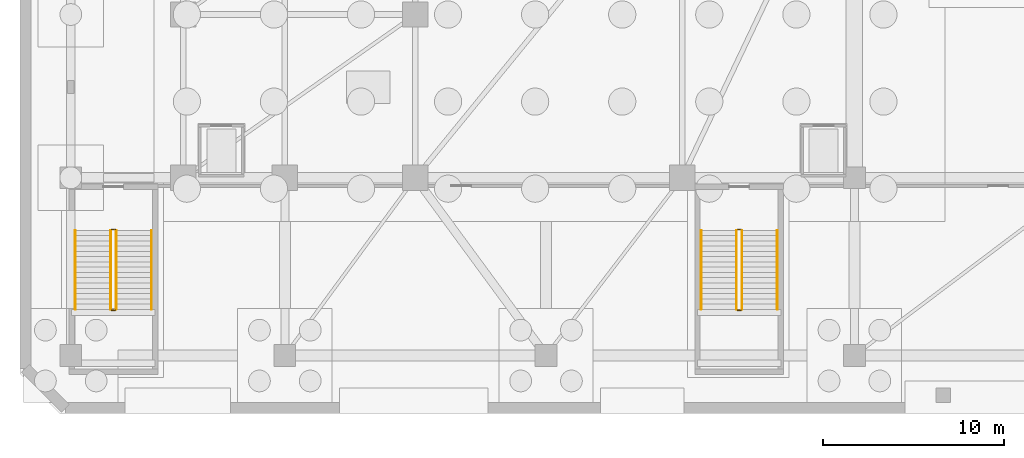
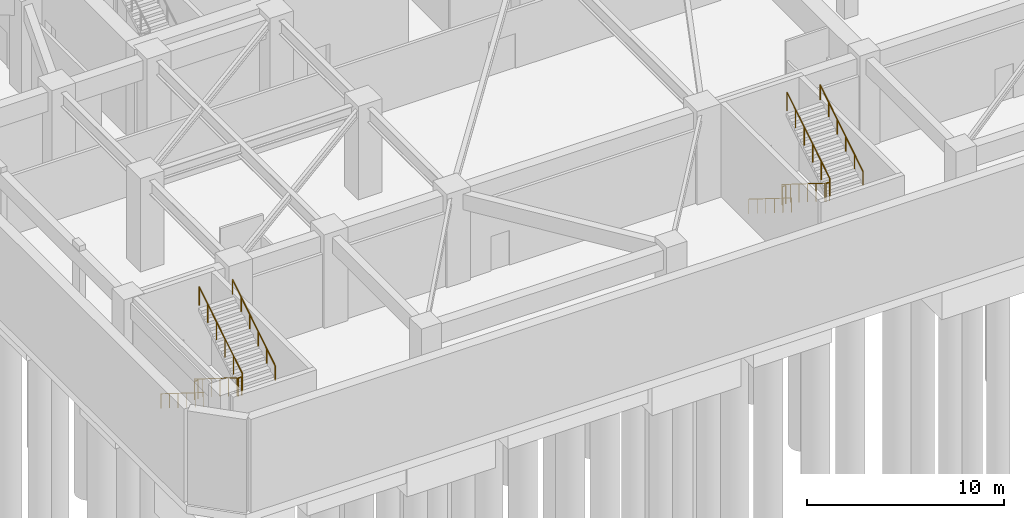
# One storey, part 7 of 9: 12 railings.
"""IFC4 building model written with IfcOpenShell, lengths in metres."""

from ifc_helpers import new_model, si_unit, direction, frame, origin, origin_2d, place, context, subcontext, project, spatial, circle, extrude, material, type_object, element, save


model = new_model("IFC4")

# Units and contexts
model_context = context("Model", 3, precision=1e-05, world=origin(), true_north=direction((0.0, 1.0)))
body_context = subcontext(model_context, "Body", "Model", "MODEL_VIEW")
ifc_project = project(units=[si_unit("LENGTHUNIT", "METRE"), si_unit("AREAUNIT", "SQUARE_METRE"), si_unit("VOLUMEUNIT", "CUBIC_METRE"), si_unit("PLANEANGLEUNIT", "RADIAN"), si_unit("MASSUNIT", "GRAM", prefix="KILO")], contexts=[model_context])

# Site, building, storey
site_placement = place(None, origin())
site = spatial("IfcSite", under=ifc_project, at=site_placement, CompositionType="ELEMENT")
building_placement = place(site_placement, origin())
building = spatial("IfcBuilding", under=site, at=building_placement, Name="Calvemar Wedge Station Tower", CompositionType="ELEMENT")
storey_placement = place(building_placement, frame((0.0, 0.0, -11.199951171875)))
storey = spatial("IfcBuildingStorey", under=building, at=storey_placement, Name="B02", CompositionType="ELEMENT", Elevation=-11.199951171875)

# Railings
ifc_material_1 = material(Name="Stainless steel AISI 316L", Category="steel")
railing_type_1 = type_object("IfcRailingType", Name="RL-HANDRAIL-920", PredefinedType="HANDRAIL", material=ifc_material_1)
railing_1_placement = place(storey_placement, frame((5.050048828125, 12.10009765625, 0.18115234375)))
element("IfcRailing", 1, at=railing_1_placement, inside=storey, type_object=railing_type_1, Name="B02 ST-P1 stair handrail 1", PredefinedType="HANDRAIL", context=body_context, shape_type="SweptSolid", body=[
    extrude(circle(Radius=0.02392578125, at=origin_2d()), frame((0.0, 0.0, 0.89599609375), z_axis=(0.0, -0.848003651437, 0.529990384016), x_axis=(1.0, 0.0, 0.0)), (0.0, 0.0, 1.0), 5.1298828125),
    extrude(circle(Radius=0.02099609375, at=origin_2d()), origin(), (0.0, 0.0, 1.0), 0.871826171875),
    extrude(circle(Radius=0.02099609375, at=origin_2d()), frame((0.0, -0.8701171875, 0.543701171875)), (0.0, 0.0, 1.0), 0.871826171875),
    extrude(circle(Radius=0.02099609375, at=origin_2d()), frame((0.0, -1.739990234375, 1.08740234375)), (0.0, 0.0, 1.0), 0.871826171875),
    extrude(circle(Radius=0.02099609375, at=origin_2d()), frame((0.0, -2.610107421875, 1.63134765625)), (0.0, 0.0, 1.0), 0.871826171875),
    extrude(circle(Radius=0.02099609375, at=origin_2d()), frame((0.0, -3.47998046875, 2.175048828125)), (0.0, 0.0, 1.0), 0.871826171875),
    extrude(circle(Radius=0.02099609375, at=origin_2d()), frame((0.0, -4.35009765625, 2.71875)), (0.0, 0.0, 1.0), 0.871826171875),
])
railing_2_placement = place(storey_placement, frame((9.25, 7.75, 3.081298828125)))
element("IfcRailing", 2, at=railing_2_placement, inside=storey, type_object=railing_type_1, Name="B02 ST-P1 stair handrail 2", PredefinedType="HANDRAIL", context=body_context, shape_type="SweptSolid", body=[
    extrude(circle(Radius=0.02392578125, at=origin_2d()), frame((0.0, 0.0, 0.89599609375), z_axis=(0.0, 0.848003651437, 0.529990384016), x_axis=(-1.0, 0.0, 0.0)), (0.0, 0.0, 1.0), 5.1298828125),
    extrude(circle(Radius=0.02099609375, at=origin_2d()), origin(), (0.0, 0.0, 1.0), 0.871826171875),
    extrude(circle(Radius=0.02099609375, at=origin_2d()), frame((0.0, 0.8701171875, 0.543701171875)), (0.0, 0.0, 1.0), 0.871826171875),
    extrude(circle(Radius=0.02099609375, at=origin_2d()), frame((0.0, 1.739990234375, 1.08740234375)), (0.0, 0.0, 1.0), 0.871826171875),
    extrude(circle(Radius=0.02099609375, at=origin_2d()), frame((0.0, 2.610107421875, 1.63134765625)), (0.0, 0.0, 1.0), 0.871826171875),
    extrude(circle(Radius=0.02099609375, at=origin_2d()), frame((0.0, 3.47998046875, 2.175048828125)), (0.0, 0.0, 1.0), 0.871826171875),
    extrude(circle(Radius=0.02099609375, at=origin_2d()), frame((0.0, 4.35009765625, 2.71875)), (0.0, 0.0, 1.0), 0.871826171875),
])
railing_3_placement = place(storey_placement, frame((39.550048828125, 12.10009765625, 0.18115234375)))
element("IfcRailing", 3, at=railing_3_placement, inside=storey, type_object=railing_type_1, Name="B02 ST-P2 stair handrail 1", PredefinedType="HANDRAIL", context=body_context, shape_type="SweptSolid", body=[
    extrude(circle(Radius=0.02392578125, at=origin_2d()), frame((0.0, 0.0, 0.89599609375), z_axis=(0.0, -0.848003651437, 0.529990384016), x_axis=(1.0, 0.0, 0.0)), (0.0, 0.0, 1.0), 5.1298828125),
    extrude(circle(Radius=0.02099609375, at=origin_2d()), origin(), (0.0, 0.0, 1.0), 0.871826171875),
    extrude(circle(Radius=0.02099609375, at=origin_2d()), frame((0.0, -0.8701171875, 0.543701171875)), (0.0, 0.0, 1.0), 0.871826171875),
    extrude(circle(Radius=0.02099609375, at=origin_2d()), frame((0.0, -1.739990234375, 1.08740234375)), (0.0, 0.0, 1.0), 0.871826171875),
    extrude(circle(Radius=0.02099609375, at=origin_2d()), frame((0.0, -2.610107421875, 1.63134765625)), (0.0, 0.0, 1.0), 0.871826171875),
    extrude(circle(Radius=0.02099609375, at=origin_2d()), frame((0.0, -3.47998046875, 2.175048828125)), (0.0, 0.0, 1.0), 0.871826171875),
    extrude(circle(Radius=0.02099609375, at=origin_2d()), frame((0.0, -4.35009765625, 2.71875)), (0.0, 0.0, 1.0), 0.871826171875),
])
railing_4_placement = place(storey_placement, frame((43.75, 7.75, 3.081298828125)))
element("IfcRailing", 4, at=railing_4_placement, inside=storey, type_object=railing_type_1, Name="B02 ST-P2 stair handrail 2", PredefinedType="HANDRAIL", context=body_context, shape_type="SweptSolid", body=[
    extrude(circle(Radius=0.02392578125, at=origin_2d()), frame((0.0, 0.0, 0.89599609375), z_axis=(0.0, 0.848003651437, 0.529990384016), x_axis=(-1.0, 0.0, 0.0)), (0.0, 0.0, 1.0), 5.1298828125),
    extrude(circle(Radius=0.02099609375, at=origin_2d()), origin(), (0.0, 0.0, 1.0), 0.871826171875),
    extrude(circle(Radius=0.02099609375, at=origin_2d()), frame((0.0, 0.8701171875, 0.543701171875)), (0.0, 0.0, 1.0), 0.871826171875),
    extrude(circle(Radius=0.02099609375, at=origin_2d()), frame((0.0, 1.739990234375, 1.08740234375)), (0.0, 0.0, 1.0), 0.871826171875),
    extrude(circle(Radius=0.02099609375, at=origin_2d()), frame((0.0, 2.610107421875, 1.63134765625)), (0.0, 0.0, 1.0), 0.871826171875),
    extrude(circle(Radius=0.02099609375, at=origin_2d()), frame((0.0, 3.47998046875, 2.175048828125)), (0.0, 0.0, 1.0), 0.871826171875),
    extrude(circle(Radius=0.02099609375, at=origin_2d()), frame((0.0, 4.35009765625, 2.71875)), (0.0, 0.0, 1.0), 0.871826171875),
])
ifc_material_2 = material(Name="Painted steel guardrail ASTM A500 Grade C", Category="steel")
railing_type_2 = type_object("IfcRailingType", Name="RL-STAIR-GUARD-1150", PredefinedType="GUARDRAIL", material=ifc_material_2)
railing_5_placement = place(storey_placement, frame((7.0, 12.10009765625, 0.18115234375)))
element("IfcRailing", 5, at=railing_5_placement, inside=storey, type_object=railing_type_2, Name="B02 ST-P1 stair guard 1", PredefinedType="GUARDRAIL", context=body_context, shape_type="SweptSolid", body=[
    extrude(circle(Radius=0.02392578125, at=origin_2d()), frame((0.0, 0.0, 1.1259765625), z_axis=(0.0, -0.848003651437, 0.529990384016), x_axis=(1.0, 0.0, 0.0)), (0.0, 0.0, 1.0), 5.1298828125),
    extrude(circle(Radius=0.02099609375, at=origin_2d()), origin(), (0.0, 0.0, 1.0), 1.101806640625),
    extrude(circle(Radius=0.02099609375, at=origin_2d()), frame((0.0, -0.8701171875, 0.543701171875)), (0.0, 0.0, 1.0), 1.101806640625),
    extrude(circle(Radius=0.02099609375, at=origin_2d()), frame((0.0, -1.739990234375, 1.08740234375)), (0.0, 0.0, 1.0), 1.101806640625),
    extrude(circle(Radius=0.02099609375, at=origin_2d()), frame((0.0, -2.610107421875, 1.63134765625)), (0.0, 0.0, 1.0), 1.101806640625),
    extrude(circle(Radius=0.02099609375, at=origin_2d()), frame((0.0, -3.47998046875, 2.175048828125)), (0.0, 0.0, 1.0), 1.101806640625),
    extrude(circle(Radius=0.02099609375, at=origin_2d()), frame((0.0, -4.35009765625, 2.71875)), (0.0, 0.0, 1.0), 1.101806640625),
])
railing_6_placement = place(storey_placement, frame((7.050048828125, 7.699951171875, 2.89990234375)))
element("IfcRailing", 6, at=railing_6_placement, inside=storey, type_object=railing_type_2, Name="B02 ST-P1 stair guard 2", PredefinedType="GUARDRAIL", context=body_context, shape_type="SweptSolid", body=[
    extrude(circle(Radius=0.02392578125, at=origin_2d()), frame((0.0, 0.0, 1.1259765625), z_axis=(1.0, 0.0, 0.0), x_axis=(0.0, 1.0, 0.0)), (0.0, 0.0, 1.0), 0.199951171875),
    extrude(circle(Radius=0.02099609375, at=origin_2d()), origin(), (0.0, 0.0, 1.0), 1.101806640625),
    extrude(circle(Radius=0.02099609375, at=origin_2d()), frame((0.199951171875, 0.0, 0.0)), (0.0, 0.0, 1.0), 1.101806640625),
])
railing_7_placement = place(storey_placement, frame((7.300048828125, 7.75, 3.081298828125)))
element("IfcRailing", 7, at=railing_7_placement, inside=storey, type_object=railing_type_2, Name="B02 ST-P1 stair guard 3", PredefinedType="GUARDRAIL", context=body_context, shape_type="SweptSolid", body=[
    extrude(circle(Radius=0.02392578125, at=origin_2d()), frame((0.0, 0.0, 1.1259765625), z_axis=(0.0, 0.848003651437, 0.529990384016), x_axis=(-1.0, 0.0, 0.0)), (0.0, 0.0, 1.0), 5.1298828125),
    extrude(circle(Radius=0.02099609375, at=origin_2d()), origin(), (0.0, 0.0, 1.0), 1.101806640625),
    extrude(circle(Radius=0.02099609375, at=origin_2d()), frame((0.0, 0.8701171875, 0.543701171875)), (0.0, 0.0, 1.0), 1.101806640625),
    extrude(circle(Radius=0.02099609375, at=origin_2d()), frame((0.0, 1.739990234375, 1.08740234375)), (0.0, 0.0, 1.0), 1.101806640625),
    extrude(circle(Radius=0.02099609375, at=origin_2d()), frame((0.0, 2.610107421875, 1.63134765625)), (0.0, 0.0, 1.0), 1.101806640625),
    extrude(circle(Radius=0.02099609375, at=origin_2d()), frame((0.0, 3.47998046875, 2.175048828125)), (0.0, 0.0, 1.0), 1.101806640625),
    extrude(circle(Radius=0.02099609375, at=origin_2d()), frame((0.0, 4.35009765625, 2.71875)), (0.0, 0.0, 1.0), 1.101806640625),
])
railing_8_placement = place(storey_placement, frame((7.050048828125, 12.14990234375, 0.0)))
element("IfcRailing", 8, at=railing_8_placement, inside=storey, type_object=railing_type_2, Name="B02 ST-P1 stair guard 4", PredefinedType="GUARDRAIL", context=body_context, shape_type="SweptSolid", body=[
    extrude(circle(Radius=0.02392578125, at=origin_2d()), frame((0.0, 0.0, 1.1259765625), z_axis=(1.0, 0.0, 0.0), x_axis=(0.0, 1.0, 0.0)), (0.0, 0.0, 1.0), 0.199951171875),
    extrude(circle(Radius=0.02099609375, at=origin_2d()), origin(), (0.0, 0.0, 1.0), 1.101806640625),
    extrude(circle(Radius=0.02099609375, at=origin_2d()), frame((0.199951171875, 0.0, 0.0)), (0.0, 0.0, 1.0), 1.101806640625),
])
railing_9_placement = place(storey_placement, frame((41.5, 12.10009765625, 0.18115234375)))
element("IfcRailing", 9, at=railing_9_placement, inside=storey, type_object=railing_type_2, Name="B02 ST-P2 stair guard 1", PredefinedType="GUARDRAIL", context=body_context, shape_type="SweptSolid", body=[
    extrude(circle(Radius=0.02392578125, at=origin_2d()), frame((0.0, 0.0, 1.1259765625), z_axis=(0.0, -0.848003651437, 0.529990384016), x_axis=(1.0, 0.0, 0.0)), (0.0, 0.0, 1.0), 5.1298828125),
    extrude(circle(Radius=0.02099609375, at=origin_2d()), origin(), (0.0, 0.0, 1.0), 1.101806640625),
    extrude(circle(Radius=0.02099609375, at=origin_2d()), frame((0.0, -0.8701171875, 0.543701171875)), (0.0, 0.0, 1.0), 1.101806640625),
    extrude(circle(Radius=0.02099609375, at=origin_2d()), frame((0.0, -1.739990234375, 1.08740234375)), (0.0, 0.0, 1.0), 1.101806640625),
    extrude(circle(Radius=0.02099609375, at=origin_2d()), frame((0.0, -2.610107421875, 1.63134765625)), (0.0, 0.0, 1.0), 1.101806640625),
    extrude(circle(Radius=0.02099609375, at=origin_2d()), frame((0.0, -3.47998046875, 2.175048828125)), (0.0, 0.0, 1.0), 1.101806640625),
    extrude(circle(Radius=0.02099609375, at=origin_2d()), frame((0.0, -4.35009765625, 2.71875)), (0.0, 0.0, 1.0), 1.101806640625),
])
railing_10_placement = place(storey_placement, frame((41.550048828125, 7.699951171875, 2.89990234375)))
element("IfcRailing", 10, at=railing_10_placement, inside=storey, type_object=railing_type_2, Name="B02 ST-P2 stair guard 2", PredefinedType="GUARDRAIL", context=body_context, shape_type="SweptSolid", body=[
    extrude(circle(Radius=0.02392578125, at=origin_2d()), frame((0.0, 0.0, 1.1259765625), z_axis=(1.0, 0.0, 0.0), x_axis=(0.0, 1.0, 0.0)), (0.0, 0.0, 1.0), 0.199951171875),
    extrude(circle(Radius=0.02099609375, at=origin_2d()), origin(), (0.0, 0.0, 1.0), 1.101806640625),
    extrude(circle(Radius=0.02099609375, at=origin_2d()), frame((0.199951171875, 0.0, 0.0)), (0.0, 0.0, 1.0), 1.101806640625),
])
railing_11_placement = place(storey_placement, frame((41.800048828125, 7.75, 3.081298828125)))
element("IfcRailing", 11, at=railing_11_placement, inside=storey, type_object=railing_type_2, Name="B02 ST-P2 stair guard 3", PredefinedType="GUARDRAIL", context=body_context, shape_type="SweptSolid", body=[
    extrude(circle(Radius=0.02392578125, at=origin_2d()), frame((0.0, 0.0, 1.1259765625), z_axis=(0.0, 0.848003651437, 0.529990384016), x_axis=(-1.0, 0.0, 0.0)), (0.0, 0.0, 1.0), 5.1298828125),
    extrude(circle(Radius=0.02099609375, at=origin_2d()), origin(), (0.0, 0.0, 1.0), 1.101806640625),
    extrude(circle(Radius=0.02099609375, at=origin_2d()), frame((0.0, 0.8701171875, 0.543701171875)), (0.0, 0.0, 1.0), 1.101806640625),
    extrude(circle(Radius=0.02099609375, at=origin_2d()), frame((0.0, 1.739990234375, 1.08740234375)), (0.0, 0.0, 1.0), 1.101806640625),
    extrude(circle(Radius=0.02099609375, at=origin_2d()), frame((0.0, 2.610107421875, 1.63134765625)), (0.0, 0.0, 1.0), 1.101806640625),
    extrude(circle(Radius=0.02099609375, at=origin_2d()), frame((0.0, 3.47998046875, 2.175048828125)), (0.0, 0.0, 1.0), 1.101806640625),
    extrude(circle(Radius=0.02099609375, at=origin_2d()), frame((0.0, 4.35009765625, 2.71875)), (0.0, 0.0, 1.0), 1.101806640625),
])
railing_12_placement = place(storey_placement, frame((41.550048828125, 12.14990234375, 0.0)))
element("IfcRailing", 12, at=railing_12_placement, inside=storey, type_object=railing_type_2, Name="B02 ST-P2 stair guard 4", PredefinedType="GUARDRAIL", context=body_context, shape_type="SweptSolid", body=[
    extrude(circle(Radius=0.02392578125, at=origin_2d()), frame((0.0, 0.0, 1.1259765625), z_axis=(1.0, 0.0, 0.0), x_axis=(0.0, 1.0, 0.0)), (0.0, 0.0, 1.0), 0.199951171875),
    extrude(circle(Radius=0.02099609375, at=origin_2d()), origin(), (0.0, 0.0, 1.0), 1.101806640625),
    extrude(circle(Radius=0.02099609375, at=origin_2d()), frame((0.199951171875, 0.0, 0.0)), (0.0, 0.0, 1.0), 1.101806640625),
])

save(model, "model.ifc")
